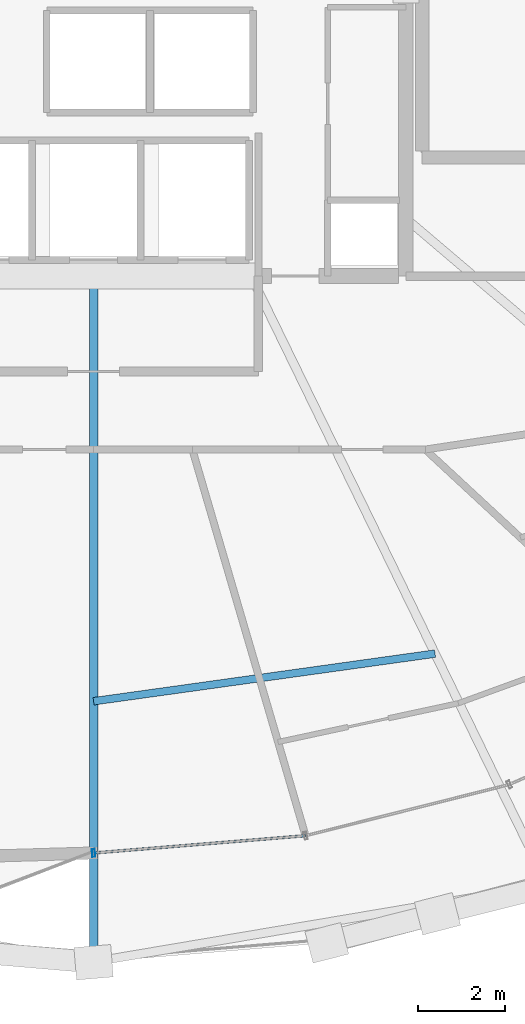
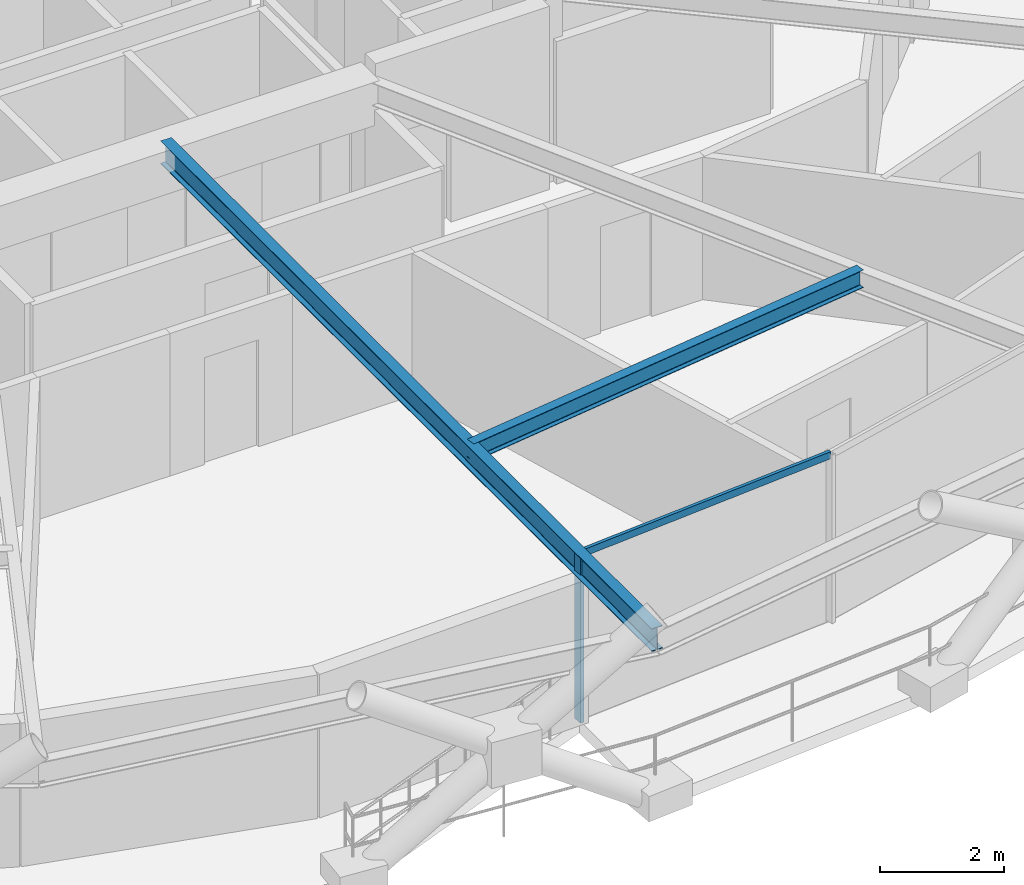
# One storey, part 2 of 15: 2 beams, 2 members, 1 element without a shape of its own.
"""IFC4 building model written with IfcOpenShell, lengths in metres."""

from ifc_helpers import new_model, si_unit, direction, frame, origin, origin_2d, place, context, subcontext, project, spatial, hollow_rectangle, i_section, extrude, material, layer, layer_set, material_profile, profile_set, type_object, element, aggregate, save


model = new_model("IFC4")

# Units and contexts
model_context = context("Model", 3, precision=1e-05, world=origin(), true_north=direction((0.0, 1.0)))
body_context = subcontext(model_context, "Body", "Model", "MODEL_VIEW")
ifc_project = project(units=[si_unit("LENGTHUNIT", "METRE"), si_unit("AREAUNIT", "SQUARE_METRE"), si_unit("VOLUMEUNIT", "CUBIC_METRE"), si_unit("PLANEANGLEUNIT", "RADIAN"), si_unit("MASSUNIT", "GRAM", prefix="KILO")], contexts=[model_context])

# Site, building, storey
site_placement = place(None, origin())
site = spatial("IfcSite", under=ifc_project, at=site_placement, CompositionType="ELEMENT")
building_placement = place(site_placement, origin())
building = spatial("IfcBuilding", under=site, at=building_placement, Name="Veldorina Hangang Commons", CompositionType="ELEMENT")
storey_placement = place(building_placement, frame((0.0, 0.0, 182.0)))
storey = spatial("IfcBuildingStorey", under=building, at=storey_placement, Name="L47", CompositionType="ELEMENT", Elevation=182.0)

# Beams
ifc_material_1 = material(Name="Steel SM355-TMC", Category="steel")
ifc_material_profile_1 = material_profile(ifc_material_1, i_section(OverallWidth=0.199951171875, OverallDepth=0.449951171875, WebThickness=0.009033203125, FlangeThickness=0.013916015625, FilletRadius=0.01611328125, at=origin_2d()), Name="H-450x200x9x14")
ifc_profile_set_1 = profile_set([ifc_material_profile_1], Name="Steel SM355-TMC")
beam_type_1 = type_object("IfcBeamType", Name="BM-FG450", PredefinedType="BEAM", material=ifc_profile_set_1)
beam_1_placement = place(storey_placement, frame((32.0, 16.550048828125, 3.125), z_axis=(0.0, -1.0, 0.0), x_axis=(1.0, 0.0, 0.0)))
element("IfcBeam", 1, at=beam_1_placement, inside=storey, type_object=beam_type_1, Name="L47 radial floor girder 13", PredefinedType="BEAM", context=body_context, shape_type="SweptSolid", body=[
    extrude(i_section(OverallWidth=0.199951171875, OverallDepth=0.449951171875, WebThickness=0.009033203125, FlangeThickness=0.013916015625, FilletRadius=0.01611328125, at=origin_2d()), origin(), (0.0, 0.0, 1.0), 15.8154296875),
])
ifc_material_profile_2 = material_profile(ifc_material_1, i_section(OverallWidth=0.175048828125, OverallDepth=0.35009765625, WebThickness=0.007080078125, FlangeThickness=0.010986328125, FilletRadius=0.012939453125, at=origin_2d()), Name="H-350x175x7x11")
ifc_profile_set_2 = profile_set([ifc_material_profile_2], Name="Steel SM355-TMC")
beam_type_2 = type_object("IfcBeamType", Name="BM-JST350", PredefinedType="JOIST", material=ifc_profile_set_2)
beam_2_placement = place(storey_placement, frame((32.0, 6.744384765625, 3.175048828125), z_axis=(0.990416815274, 0.138110578965, 0.0), x_axis=(-0.138110578965, 0.990416815274, 0.0)))
element("IfcBeam", 2, at=beam_2_placement, inside=storey, type_object=beam_type_2, Name="L47 secondary floor joist 13", PredefinedType="JOIST", context=body_context, shape_type="SweptSolid", body=[
    extrude(i_section(OverallWidth=0.175048828125, OverallDepth=0.35009765625, WebThickness=0.007080078125, FlangeThickness=0.010986328125, FilletRadius=0.012939453125, at=origin_2d()), origin(), (0.0, 0.0, 1.0), 7.951171875),
])

# Curtain wall, members
ifc_material_2 = material(Name="Glass Low-E Triple IGU", Category="glass")
ifc_layer = layer(ifc_material_2, 0.179931640625)
ifc_layer_set = layer_set([ifc_layer], Name="Glass Low-E Triple IGU")
curtain_wall_type = type_object("IfcCurtainWallType", Name="CW-SYS-Z2", PredefinedType="NOTDEFINED", material=ifc_layer_set)
curtain_wall_placement = place(storey_placement, origin())
curtain_wall = element("IfcCurtainWall", 3, at=curtain_wall_placement, inside=storey, type_object=curtain_wall_type, Name="L47 unitised curtain wall CW-L47-R1", PredefinedType="NOTDEFINED")
ifc_material_3 = material(Name="Aluminium Anodized AA6063-T6", Category="aluminium")
ifc_material_profile_3 = material_profile(ifc_material_3, hollow_rectangle(XDim=0.070068359375, YDim=0.179931640625, WallThickness=0.00390625, at=origin_2d()), Name="ALU-RHS-180x70x4")
ifc_profile_set_3 = profile_set([ifc_material_profile_3], Name="Aluminium Anodized AA6063-T6")
member_type_1 = type_object("IfcMemberType", Name="CW-MUL-180", PredefinedType="MULLION", material=ifc_profile_set_3)
member_1_placement = place(storey_placement, frame((32.0, 3.244140625, 0.0), z_axis=(0.0, 0.0, 1.0), x_axis=(0.99668867357, 0.081312286759, 0.0)))
member_1 = element("IfcMember", 4, at=member_1_placement, type_object=member_type_1, Name="CW-L47-R1 vertical mullion 1", PredefinedType="MULLION", context=body_context, shape_type="SweptSolid", body=[
    extrude(hollow_rectangle(XDim=0.070068359375, YDim=0.179931640625, WallThickness=0.00390625, at=origin_2d()), origin(), (0.0, 0.0, 1.0), 3.31005859375),
])
ifc_material_profile_4 = material_profile(ifc_material_3, hollow_rectangle(XDim=0.06005859375, YDim=0.139892578125, WallThickness=0.00341796875, at=origin_2d()), Name="ALU-RHS-140x60x3.5")
ifc_profile_set_4 = profile_set([ifc_material_profile_4], Name="Aluminium Anodized AA6063-T6")
member_type_2 = type_object("IfcMemberType", Name="CW-TRN-140", PredefinedType="USERDEFINED", material=ifc_profile_set_4)
member_2_placement = place(storey_placement, frame((32.0, 3.244140625, 3.27001953125), z_axis=(0.996686427988, 0.081339807379, 0.0), x_axis=(-0.081339807379, 0.996686427988, 0.0)))
member_2 = element("IfcMember", 5, at=member_2_placement, type_object=member_type_2, Name="CW-L47-R1 facet 1 transom 1", ObjectType="TRANSOM", PredefinedType="USERDEFINED", context=body_context, shape_type="SweptSolid", body=[
    extrude(hollow_rectangle(XDim=0.06005859375, YDim=0.139892578125, WallThickness=0.00341796875, at=origin_2d()), origin(), (0.0, 0.0, 1.0), 4.904541015625),
])
aggregate(curtain_wall, [member_1, member_2])

save(model, "model.ifc")
